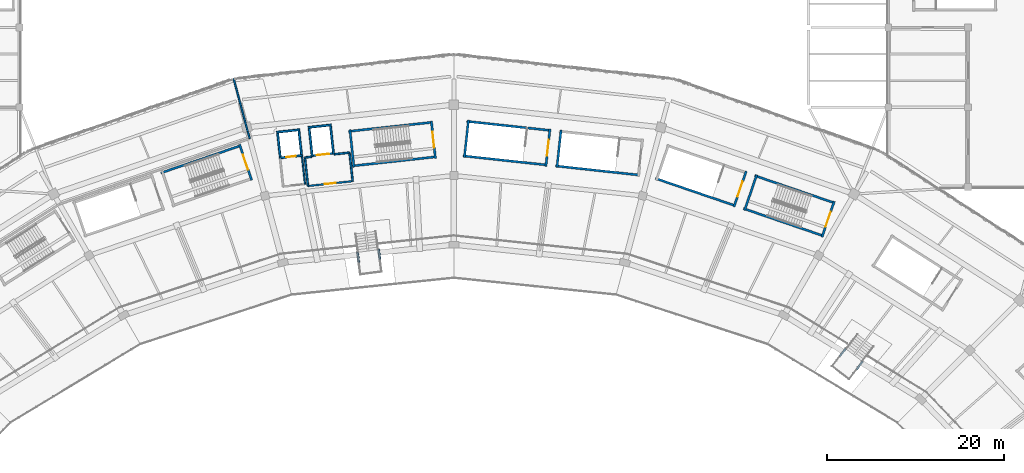
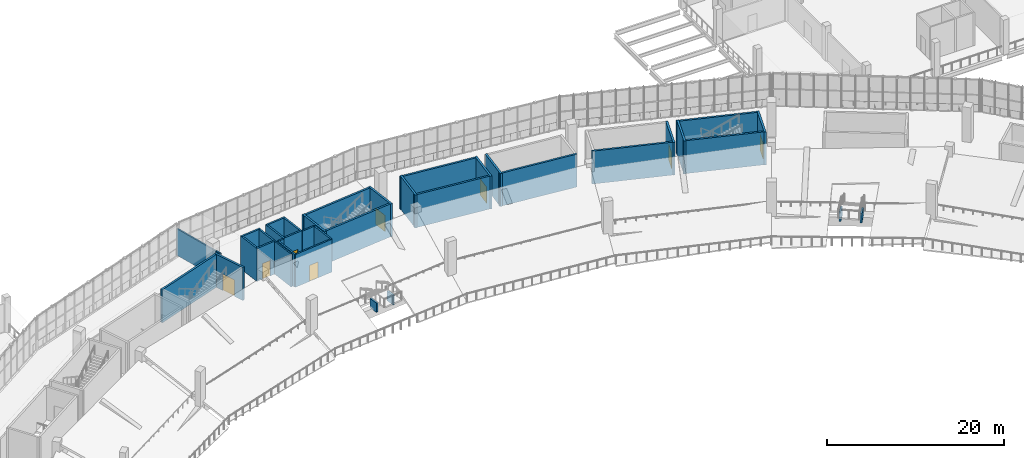
# One storey, part 100 of 152: 38 walls, 8 doors, 8 openings.
"""IFC4 building model written with IfcOpenShell, lengths in metres."""

import ifcopenshell
import ifcopenshell.guid

model = None  # the IFC model being written
_history = None  # IfcOwnerHistory: only IFC2X3 demands one
_inside = {}  # id of a spatial element -> (the spatial element, [elements in it])
_under = {}  # id of a project, library or spatial element -> (it, [spatial elements below it])
_declared = {}  # id of a project -> (the project, [libraries it declares])
_typed = {}  # id of a type object -> (the type object, [elements of that type])
_made_of = {}  # id of a material, layer set ... -> (it, [elements and type objects made of it])


def new_model(schema):
    """Start an empty IFC model of exactly this schema.

    Asked for "IFC4X3", IfcOpenShell would pick the latest addendum, in which some entities
    have other attributes; the version numbers below select the first issue.
    IFC2X3 requires an IfcOwnerHistory on every rooted entity: one is made here for all.
    """
    global model, _history
    if schema == "IFC4X3":
        model = ifcopenshell.file(schema_version=(4, 3, 0, 0))
    else:
        model = ifcopenshell.file(schema=schema)
    _inside.clear()
    _under.clear()
    _declared.clear()
    _typed.clear()
    _made_of.clear()
    _history = None
    if model.schema == "IFC2X3":
        org = make("IfcOrganization", Name="unknown")
        user = make(
            "IfcPersonAndOrganization",
            ThePerson=make("IfcPerson", FamilyName="unknown"),
            TheOrganization=org,
        )
        app = make(
            "IfcApplication",
            ApplicationDeveloper=org,
            Version="unknown",
            ApplicationFullName="unknown",
            ApplicationIdentifier="unknown",
        )
        _history = make(
            "IfcOwnerHistory",
            OwningUser=user,
            OwningApplication=app,
            ChangeAction="ADDED",
            CreationDate=0,
        )
    return model


def make(cls, **values):
    """One entity of the class cls with the attributes given. An attribute that is None is left unset."""
    return model.create_entity(
        cls, **{name: value for name, value in values.items() if value is not None}
    )


def rooted(cls, **values):
    """An entity with a GlobalId (a new one), such as an element, a storey or a relation."""
    return make(cls, GlobalId=ifcopenshell.guid.new(), OwnerHistory=_history, **values)


def si_unit(unit_type, name, prefix=None):
    """IfcSIUnit, for example si_unit("LENGTHUNIT", "METRE", prefix="MILLI")."""
    return make("IfcSIUnit", UnitType=unit_type, Prefix=prefix, Name=name)


def assignment(units):
    """IfcUnitAssignment: the units of a project."""
    return None if units is None else make("IfcUnitAssignment", Units=units)


def point(xyz):
    """IfcCartesianPoint."""
    return None if xyz is None else make("IfcCartesianPoint", Coordinates=xyz)


def direction(xyz):
    """IfcDirection."""
    return None if xyz is None else make("IfcDirection", DirectionRatios=xyz)


def frame(location, z_axis=None, x_axis=None):
    """IfcAxis2Placement3D, a coordinate frame: its origin and axes. An axis left out is left unset."""
    return make(
        "IfcAxis2Placement3D",
        Location=point(location),
        Axis=direction(z_axis),
        RefDirection=direction(x_axis),
    )


def frame_2d(location, x_axis=None):
    """IfcAxis2Placement2D, a coordinate frame in the plane: its origin and x axis."""
    return make(
        "IfcAxis2Placement2D", Location=point(location), RefDirection=direction(x_axis)
    )


def origin():
    """The frame at (0, 0, 0) with its axes left unset."""
    return frame((0.0, 0.0, 0.0))


def place(relative_to, where):
    """IfcLocalPlacement: puts the frame where relative to a parent placement (None: the world)."""
    return make(
        "IfcLocalPlacement", PlacementRelTo=relative_to, RelativePlacement=where
    )


def context(
    kind, dimensions, precision=None, world=None, true_north=None, identifier=None
):
    """IfcGeometricRepresentationContext, for example the 3D "Model" context."""
    return make(
        "IfcGeometricRepresentationContext",
        ContextIdentifier=identifier,
        ContextType=kind,
        CoordinateSpaceDimension=dimensions,
        Precision=precision,
        WorldCoordinateSystem=world,
        TrueNorth=true_north,
    )


def subcontext(parent, identifier, kind, view, scale=None):
    """IfcGeometricRepresentationSubContext, for example "Body" below "Model"."""
    return make(
        "IfcGeometricRepresentationSubContext",
        ContextIdentifier=identifier,
        ContextType=kind,
        ParentContext=parent,
        TargetScale=scale,
        TargetView=view,
    )


def project(units=None, contexts=None):
    """IfcProject with its units and contexts."""
    return rooted(
        "IfcProject",
        Name="project",
        RepresentationContexts=contexts,
        UnitsInContext=assignment(units),
    )


def spatial(cls, under=None, at=None, **own):
    """A site, building, storey or space (cls), placed at a placement, below another one or the project."""
    s = rooted(cls, ObjectPlacement=at, **own)
    if under is not None:
        _under.setdefault(under.id(), (under, []))[1].append(s)
    return s


def profile(cls, at=None, kind="AREA", **sizes):
    """A parametric profile (cls). Its sizes go by their IFC names, for example OverallWidth=200.0."""
    return make(cls, ProfileType=kind, Position=at, **sizes)


def rectangle(**sizes):
    """IfcRectangleProfileDef."""
    return profile("IfcRectangleProfileDef", **sizes)


def extrude(swept, where, along, depth):
    """IfcExtrudedAreaSolid: the profile swept, set in the frame where, extruded along a direction by depth."""
    return make(
        "IfcExtrudedAreaSolid",
        SweptArea=swept,
        Position=where,
        ExtrudedDirection=direction(along),
        Depth=depth,
    )


def shape(context_of_items, identifier, shape_type, items):
    """IfcShapeRepresentation: the items that make up one representation, for example the "Body"."""
    return make(
        "IfcShapeRepresentation",
        ContextOfItems=context_of_items,
        RepresentationIdentifier=identifier,
        RepresentationType=shape_type,
        Items=items,
    )


def material(Name=None, Category=None):
    """IfcMaterial."""
    return make("IfcMaterial", Name=Name, Category=Category)


def layer(
    of_material, thickness, ventilated=None, Name=None, Category=None, Priority=None
):
    """IfcMaterialLayer: one layer of a wall or slab, of a material (None: an air gap)."""
    return make(
        "IfcMaterialLayer",
        Material=of_material,
        LayerThickness=thickness,
        IsVentilated=ventilated,
        Name=Name,
        Category=Category,
        Priority=Priority,
    )


def layer_set(layers, Name=None):
    """IfcMaterialLayerSet."""
    return make("IfcMaterialLayerSet", MaterialLayers=layers, LayerSetName=Name)


def made_of(thing, what):
    """Note that an element or type object is made of a material, layer set ...; save() writes the relation."""
    if what is not None:
        _made_of.setdefault(what.id(), (what, []))[1].append(thing)
    return thing


def type_object(cls, material=None, **own):
    """A type object (cls), such as IfcWallType, which elements share."""
    return made_of(rooted(cls, **own), material)


def element(
    cls,
    number,
    at=None,
    inside=None,
    cuts=None,
    type_object=None,
    material=None,
    context=None,
    identifier="Body",
    shape_type=None,
    held_by="IfcProductDefinitionShape",
    body=None,
    shapes=None,
    **own,
):
    """One element of the class cls, such as IfcWall. Its Tag is "e" and its number.

    at: its placement. inside: the storey or other place that contains it. cuts: it is an
    opening in that element (IfcRelVoidsElement). A single representation is given by context,
    identifier, shape_type and body (its items); several are given by shapes. held_by: the class
    of the entity that holds the representations. save() writes the other relations.
    """
    e = rooted(cls, Tag="e%d" % number, ObjectPlacement=at, **own)
    if body is not None:
        shapes = [shape(context, identifier, shape_type, body)]
    if shapes is not None:
        e.Representation = make(held_by, Representations=shapes)
    if inside is not None:
        _inside.setdefault(inside.id(), (inside, []))[1].append(e)
    if cuts is not None:
        rooted(
            "IfcRelVoidsElement", RelatingBuildingElement=cuts, RelatedOpeningElement=e
        )
    if type_object is not None:
        _typed.setdefault(type_object.id(), (type_object, []))[1].append(e)
    return made_of(e, material)


def fill(opening, filler):
    """IfcRelFillsElement: the door or window that sits in an opening."""
    return rooted(
        "IfcRelFillsElement",
        RelatingOpeningElement=opening,
        RelatedBuildingElement=filler,
    )


def aggregate(whole, parts):
    """IfcRelAggregates: a whole, such as a stair, and the parts it consists of."""
    return rooted("IfcRelAggregates", RelatingObject=whole, RelatedObjects=parts)


def save(model, path):
    """Write the relations noted so far, then the file.

    IfcRelAggregates (storeys below a building ...), IfcRelContainedInSpatialStructure (elements
    in a storey), IfcRelDefinesByType, IfcRelAssociatesMaterial and IfcRelDeclares: one each for
    every whole, place, type object, material and project.
    """
    for whole, parts in _under.values():
        aggregate(whole, parts)
    for where, things in _inside.values():
        rooted(
            "IfcRelContainedInSpatialStructure",
            RelatedElements=things,
            RelatingStructure=where,
        )
    for kind, things in _typed.values():
        rooted("IfcRelDefinesByType", RelatedObjects=things, RelatingType=kind)
    for what, things in _made_of.values():
        rooted("IfcRelAssociatesMaterial", RelatedObjects=things, RelatingMaterial=what)
    for by, libraries in _declared.values():
        rooted("IfcRelDeclares", RelatingContext=by, RelatedDefinitions=libraries)
    model.write(path)


model = new_model("IFC4")

# Units and contexts
model_context = context("Model", 3, precision=1e-05, world=origin(), true_north=direction((0.0, 1.0)))
body_context = subcontext(model_context, "Body", "Model", "MODEL_VIEW")
ifc_project = project(units=[si_unit("LENGTHUNIT", "METRE"), si_unit("AREAUNIT", "SQUARE_METRE"), si_unit("VOLUMEUNIT", "CUBIC_METRE"), si_unit("PLANEANGLEUNIT", "RADIAN"), si_unit("MASSUNIT", "GRAM", prefix="KILO")], contexts=[model_context])

# Site, building, storey
site_placement = place(None, origin())
site = spatial("IfcSite", under=ifc_project, at=site_placement, CompositionType="ELEMENT")
building_placement = place(site_placement, origin())
building = spatial("IfcBuilding", under=site, at=building_placement, Name="Zevraka Park Crest Stadium", CompositionType="ELEMENT")
storey_placement = place(building_placement, frame((0.0, 0.0, 15.0)))
storey = spatial("IfcBuildingStorey", under=building, at=storey_placement, Name="L03", CompositionType="ELEMENT", Elevation=15.0)

# Walls
ifc_material_1 = material(Name="Autoclaved aerated masonry blockwork", Category="masonry")
ifc_layer_1 = layer(ifc_material_1, 0.199951171875)
ifc_layer_set_1 = layer_set([ifc_layer_1], Name="Autoclaved aerated masonry blockwork")
wall_type_1 = type_object("IfcWallType", Name="IW01", PredefinedType="PARTITIONING", material=ifc_layer_set_1)
wall_1_placement = place(storey_placement, frame((95.195068359375, 161.3349609375, 0.0), z_axis=(0.0, 0.0, 1.0), x_axis=(0.994146742738, 0.108038205757, 0.0)))
element("IfcWall", 1, at=wall_1_placement, inside=storey, type_object=wall_type_1, Name="Firefighting Lift Lobby Wall IW01 FL02 L03 BACKL", PredefinedType="PARTITIONING", context=body_context, shape_type="SweptSolid", body=[
    extrude(rectangle(XDim=0.750244140625, YDim=0.199951171875, at=frame_2d((0.375, 0.0))), origin(), (0.0, 0.0, 1.0), 4.52001953125),
])
wall_2_placement = place(storey_placement, frame((98.52490234375, 161.697998046875, 0.0), z_axis=(0.0, 0.0, 1.0), x_axis=(0.994135511072, 0.108141507414, 0.0)))
element("IfcWall", 2, at=wall_2_placement, inside=storey, type_object=wall_type_1, Name="Firefighting Lift Lobby Wall IW01 FL02 L03 BACKR", PredefinedType="PARTITIONING", context=body_context, shape_type="SweptSolid", body=[
    extrude(rectangle(XDim=1.72021484375, YDim=0.199951171875, at=frame_2d((0.860107421875, 0.0))), origin(), (0.0, 0.0, 1.0), 4.52001953125),
])
for number, where, z_axis, x_axis, name in (
    (3, (95.195068359375, 161.3349609375, 0.0), (0.0, 0.0, 1.0), (0.108280975823, -0.994120329877, 0.0), "Firefighting Lift Lobby Wall IW01 FL02 L03 LEFT"),
    (4, (100.235107421875, 161.884033203125, 0.0), (0.0, 0.0, 1.0), (0.108280975823, -0.994120329877, 0.0), "Firefighting Lift Lobby Wall IW01 FL02 L03 RIGHT"),
):
    element("IfcWall", number, at=place(storey_placement, frame(where, z_axis=z_axis, x_axis=x_axis)), inside=storey, type_object=wall_type_1, Name=name, PredefinedType="PARTITIONING", context=body_context, shape_type="SweptSolid", body=[
        extrude(rectangle(XDim=3.239990234375, YDim=0.199951171875, at=frame_2d((1.6201171875, 0.0))), origin(), (0.0, 0.0, 1.0), 4.52001953125),
    ])

# Wall, opening, door
wall_3_placement = place(storey_placement, frame((95.5458984375, 158.114013671875, 0.0), z_axis=(0.0, 0.0, 1.0), x_axis=(0.994118117986, 0.108301281116, 0.0)))
wall_3 = element("IfcWall", 5, at=wall_3_placement, inside=storey, type_object=wall_type_1, Name="Firefighting Lift Lobby Wall IW01 FL02 L03 FRONT", PredefinedType="PARTITIONING", context=body_context, shape_type="SweptSolid", body=[
    extrude(rectangle(XDim=5.06982421875, YDim=0.199951171875, at=frame_2d((2.534912109375, 0.0))), origin(), (0.0, 0.0, 1.0), 4.52001953125),
])
opening_1_placement = place(wall_3_placement, frame((1.909912109375, 0.0, 0.0)))
opening_1 = element("IfcOpeningElement", 6, at=opening_1_placement, cuts=wall_3, Name="Opening D-L03-298", PredefinedType="OPENING", context=body_context, shape_type="SweptSolid", body=[
    extrude(rectangle(XDim=1.25, YDim=2.199951171875, at=frame_2d((0.625, 1.10009765625))), frame((0.0, 0.10986328125, 0.0), z_axis=(0.0, -1.0, 0.0), x_axis=(1.0, 0.0, 0.0)), (0.0, 0.0, 1.0), 0.219970703125),
])
ifc_material_2 = material(Name="Solid-core hardwood timber leaf in steel frame", Category="steel")
door_type_1 = type_object("IfcDoorType", Name="DR07", OperationType="NOTDEFINED", PredefinedType="DOOR", material=ifc_material_2)
door_1_placement = place(opening_1_placement, origin())
door_1 = element("IfcDoor", 7, at=door_1_placement, inside=storey, type_object=door_type_1, Name="Firefighting Lift Lobby FL02 Door D-L03-298", OperationType="SINGLE_SWING_RIGHT", OverallHeight=2.199951171875, OverallWidth=1.25, PredefinedType="DOOR", context=body_context, shape_type="SweptSolid", body=[
    extrude(rectangle(XDim=1.25, YDim=2.199951171875, at=frame_2d((0.625, 1.10009765625))), frame((0.0, 0.02490234375, 0.0), z_axis=(0.0, -1.0, 0.0), x_axis=(1.0, 0.0, 0.0)), (0.0, 0.0, 1.0), 0.050048828125),
])
fill(opening_1, door_1)

# Walls
ifc_material_3 = material(Name="Fire-rated twin-stud acoustic drywall", Category="other")
ifc_layer_2 = layer(ifc_material_3, 0.159912109375)
ifc_layer_set_2 = layer_set([ifc_layer_2], Name="Fire-rated twin-stud acoustic drywall")
wall_type_2 = type_object("IfcWallType", Name="IW02", PredefinedType="PARTITIONING", material=ifc_layer_set_2)
wall_4_placement = place(storey_placement, frame((94.868896484375, 161.469970703125, 0.0), z_axis=(0.0, 0.0, 1.0), x_axis=(0.108909733757, -0.994051643474, 0.0)))
element("IfcWall", 8, at=wall_4_placement, inside=storey, type_object=wall_type_2, Name="Passenger Lift Lobby Wall IW02 PL02 L03 RIGHT", PredefinedType="PARTITIONING", context=body_context, shape_type="SweptSolid", body=[
    extrude(rectangle(XDim=3.169677734375, YDim=0.159912109375, at=frame_2d((1.5849609375, 0.0))), origin(), (0.0, 0.0, 1.0), 4.52001953125),
])
ifc_material_4 = material(Name="Fire-rated twin-stud acoustic drywall", Category="other")
ifc_layer_3 = layer(ifc_material_4, 0.179931640625)
ifc_layer_set_3 = layer_set([ifc_layer_3], Name="Fire-rated twin-stud acoustic drywall")
wall_type_3 = type_object("IfcWallType", Name="IW06", PredefinedType="PARTITIONING", material=ifc_layer_set_3)
wall_5_placement = place(storey_placement, frame((88.969970703125, 163.458984375, 0.0), z_axis=(0.0, 0.0, 1.0), x_axis=(-0.259313795023, 0.965793122626, 0.0)))
element("IfcWall", 9, at=wall_5_placement, inside=storey, type_object=wall_type_3, Name="Interior Partition IW06 Park View Supporter Bar L03", PredefinedType="PARTITIONING", context=body_context, shape_type="SweptSolid", body=[
    extrude(rectangle(XDim=0.8095703125, YDim=0.179931640625, at=frame_2d((0.40478515625, 0.0))), origin(), (0.0, 0.0, 1.0), 3.6650390625),
])
wall_6_placement = place(storey_placement, frame((88.763916015625, 164.22607421875, 0.0), z_axis=(0.0, 0.0, 1.0), x_axis=(-0.258731511659, 0.965949276554, 0.0)))
element("IfcWall", 10, at=wall_6_placement, inside=storey, type_object=wall_type_3, Name="Interior Partition IW06 Park View Supporter Bar L03", PredefinedType="PARTITIONING", context=body_context, shape_type="SweptSolid", body=[
    extrude(rectangle(XDim=6.225830078125, YDim=0.179931640625, at=frame_2d((3.11279296875, 0.0))), origin(), (0.0, 0.0, 1.0), 3.6650390625),
])
ifc_material_5 = material(Name="Concrete C40/50", Category="concrete")
ifc_layer_4 = layer(ifc_material_5, 0.25)
ifc_layer_set_4 = layer_set([ifc_layer_4], Name="Concrete C40/50")
wall_type_4 = type_object("IfcWallType", Name="SW01", PredefinedType="SHEAR", material=ifc_layer_set_4)
for number, where, z_axis, x_axis, name in (
    (11, (154.976318359375, 156.190673828125, 0.0), (0.0, 0.0, 1.0), (-0.946064424228, 0.323978556712, 0.0), "Stair Core Shear Wall SW01 ST05 L03 left"),
    (12, (144.671630859375, 155.576171875, 0.0), (0.0, 0.0, 1.0), (0.946064424228, -0.323978556712, 0.0), "Stair Core Shear Wall SW01 ST05 L03 right"),
):
    element("IfcWall", number, at=place(storey_placement, frame(where, z_axis=z_axis, x_axis=x_axis)), inside=storey, type_object=wall_type_4, Name=name, PredefinedType="SHEAR", context=body_context, shape_type="SweptSolid", body=[
        extrude(rectangle(XDim=9.550048828125, YDim=0.25, at=frame_2d((4.77490234375, 0.0))), origin(), (0.0, 0.0, 1.0), 4.5400390625),
    ])

# Wall, opening, door
wall_7_placement = place(storey_placement, frame((153.533203125, 152.36181640625, 0.0), z_axis=(0.0, 0.0, 1.0), x_axis=(0.323971192516, 0.946066946056, 0.0)))
wall_7 = element("IfcWall", 13, at=wall_7_placement, inside=storey, type_object=wall_type_4, Name="Stair Core Shear Wall SW01 ST05 L03 near", PredefinedType="SHEAR", context=body_context, shape_type="SweptSolid", body=[
    extrude(rectangle(XDim=4.260009765625, YDim=0.25, at=frame_2d((2.1298828125, 0.0))), origin(), (0.0, 0.0, 1.0), 4.5400390625),
])
opening_2_placement = place(wall_7_placement, frame((1.22998046875, 0.0, 0.0)))
opening_2 = element("IfcOpeningElement", 14, at=opening_2_placement, cuts=wall_7, Name="Opening D-L03-030", PredefinedType="OPENING", context=body_context, shape_type="SweptSolid", body=[
    extrude(rectangle(XDim=1.800048828125, YDim=2.25, at=frame_2d((0.89990234375, 1.125))), frame((0.0, 0.135009765625, 0.0), z_axis=(0.0, -1.0, 0.0), x_axis=(1.0, 0.0, 0.0)), (0.0, 0.0, 1.0), 0.27001953125),
])
ifc_material_6 = material(Name="Solid-core hardwood timber leaf in steel frame", Category="steel")
door_type_2 = type_object("IfcDoorType", Name="DR04", OperationType="NOTDEFINED", PredefinedType="DOOR", material=ifc_material_6)
door_2_placement = place(opening_2_placement, origin())
door_2 = element("IfcDoor", 15, at=door_2_placement, inside=storey, type_object=door_type_2, Name="Protected Stair Entry Door ST05 L03", OperationType="DOUBLE_DOOR_SINGLE_SWING", OverallHeight=2.25, OverallWidth=1.800048828125, PredefinedType="DOOR", context=body_context, shape_type="SweptSolid", body=[
    extrude(rectangle(XDim=1.800048828125, YDim=2.25, at=frame_2d((0.89990234375, 1.125))), frame((0.0, 0.02490234375, 0.0), z_axis=(0.0, -1.0, 0.0), x_axis=(1.0, 0.0, 0.0)), (0.0, 0.0, 1.0), 0.050048828125),
])
fill(opening_2, door_2)

# Walls
wall_8_placement = place(storey_placement, frame((146.171630859375, 159.385498046875, 0.0), z_axis=(0.0, 0.0, 1.0), x_axis=(-0.323971192516, -0.946066946056, 0.0)))
element("IfcWall", 16, at=wall_8_placement, inside=storey, type_object=wall_type_4, Name="Stair Core Shear Wall SW01 ST05 L03 far", PredefinedType="SHEAR", context=body_context, shape_type="SweptSolid", body=[
    extrude(rectangle(XDim=4.260009765625, YDim=0.25, at=frame_2d((2.1298828125, 0.0))), origin(), (0.0, 0.0, 1.0), 4.5400390625),
])
wall_9_placement = place(storey_placement, frame((123.467041015625, 160.3798828125, 0.0), z_axis=(0.0, 0.0, 1.0), x_axis=(0.994127555169, -0.108214620337, 0.0)))
element("IfcWall", 17, at=wall_9_placement, inside=storey, type_object=wall_type_4, Name="Stair Core Shear Wall SW01 ST06 L03 right", PredefinedType="SHEAR", context=body_context, shape_type="SweptSolid", body=[
    extrude(rectangle(XDim=9.550048828125, YDim=0.25, at=frame_2d((4.77490234375, 0.0))), origin(), (0.0, 0.0, 1.0), 4.5400390625),
])
wall_10_placement = place(storey_placement, frame((124.093505859375, 164.426025390625, 0.0), z_axis=(0.0, 0.0, 1.0), x_axis=(-0.108198315262, -0.994129329903, 0.0)))
element("IfcWall", 18, at=wall_10_placement, inside=storey, type_object=wall_type_4, Name="Stair Core Shear Wall SW01 ST06 L03 far", PredefinedType="SHEAR", context=body_context, shape_type="SweptSolid", body=[
    extrude(rectangle(XDim=4.260009765625, YDim=0.25, at=frame_2d((2.1298828125, 0.0))), origin(), (0.0, 0.0, 1.0), 4.5400390625),
])
for number, where, z_axis, x_axis, name in (
    (19, (109.602783203125, 165.310546875, 0.0), (0.0, 0.0, 1.0), (-0.994127555169, -0.108214620337, 0.0), "Stair Core Shear Wall SW01 ST07 L03 left"),
    (20, (100.533203125, 160.380126953125, 0.0), (0.0, 0.0, 1.0), (0.994127555169, 0.108214620337, 0.0), "Stair Core Shear Wall SW01 ST07 L03 right"),
):
    element("IfcWall", number, at=place(storey_placement, frame(where, z_axis=z_axis, x_axis=x_axis)), inside=storey, type_object=wall_type_4, Name=name, PredefinedType="SHEAR", context=body_context, shape_type="SweptSolid", body=[
        extrude(rectangle(XDim=9.550048828125, YDim=0.25, at=frame_2d((4.77490234375, 0.0))), origin(), (0.0, 0.0, 1.0), 4.5400390625),
    ])

# Wall, opening, door
wall_11_placement = place(storey_placement, frame((109.921142578125, 161.23095703125, 0.0), z_axis=(0.0, 0.0, 1.0), x_axis=(-0.108198315262, 0.994129329903, 0.0)))
wall_11 = element("IfcWall", 21, at=wall_11_placement, inside=storey, type_object=wall_type_4, Name="Stair Core Shear Wall SW01 ST07 L03 near", PredefinedType="SHEAR", context=body_context, shape_type="SweptSolid", body=[
    extrude(rectangle(XDim=4.260009765625, YDim=0.25, at=frame_2d((2.1298828125, 0.0))), origin(), (0.0, 0.0, 1.0), 4.5400390625),
])
opening_3_placement = place(wall_11_placement, frame((1.22998046875, 0.0, 0.0)))
opening_3 = element("IfcOpeningElement", 22, at=opening_3_placement, cuts=wall_11, Name="Opening D-L03-041", PredefinedType="OPENING", context=body_context, shape_type="SweptSolid", body=[
    extrude(rectangle(XDim=1.800048828125, YDim=2.25, at=frame_2d((0.89990234375, 1.125))), frame((0.0, 0.135009765625, 0.0), z_axis=(0.0, -1.0, 0.0), x_axis=(1.0, 0.0, 0.0)), (0.0, 0.0, 1.0), 0.27001953125),
])
door_3_placement = place(opening_3_placement, origin())
door_3 = element("IfcDoor", 23, at=door_3_placement, inside=storey, type_object=door_type_2, Name="Protected Stair Entry Door ST07 L03", OperationType="DOUBLE_DOOR_SINGLE_SWING", OverallHeight=2.25, OverallWidth=1.800048828125, PredefinedType="DOOR", context=body_context, shape_type="SweptSolid", body=[
    extrude(rectangle(XDim=1.800048828125, YDim=2.25, at=frame_2d((0.89990234375, 1.125))), frame((0.0, 0.02490234375, 0.0), z_axis=(0.0, -1.0, 0.0), x_axis=(1.0, 0.0, 0.0)), (0.0, 0.0, 1.0), 0.050048828125),
])
fill(opening_3, door_3)

# Walls
wall_12_placement = place(storey_placement, frame((100.2744140625, 164.466064453125, 0.0), z_axis=(0.0, 0.0, 1.0), x_axis=(0.108204479885, -0.994128658944, 0.0)))
element("IfcWall", 24, at=wall_12_placement, inside=storey, type_object=wall_type_4, Name="Stair Core Shear Wall SW01 ST07 L03 far", PredefinedType="SHEAR", context=body_context, shape_type="SweptSolid", body=[
    extrude(rectangle(XDim=4.259765625, YDim=0.25, at=frame_2d((2.1298828125, 0.0))), origin(), (0.0, 0.0, 1.0), 4.5400390625),
])
wall_13_placement = place(storey_placement, frame((87.99267578125, 162.685791015625, 0.0), z_axis=(0.0, 0.0, 1.0), x_axis=(-0.946064424228, -0.323978556712, 0.0)))
element("IfcWall", 25, at=wall_13_placement, inside=storey, type_object=wall_type_4, Name="Stair Core Shear Wall SW01 ST08 L03 left", PredefinedType="SHEAR", context=body_context, shape_type="SweptSolid", body=[
    extrude(rectangle(XDim=9.550048828125, YDim=0.25, at=frame_2d((4.77490234375, 0.0))), origin(), (0.0, 0.0, 1.0), 4.5400390625),
])

# Wall, opening, door
wall_14_placement = place(storey_placement, frame((89.199462890625, 158.77587890625, 0.0), z_axis=(0.0, 0.0, 1.0), x_axis=(-0.323988758717, 0.946060930504, 0.0)))
wall_14 = element("IfcWall", 26, at=wall_14_placement, inside=storey, type_object=wall_type_4, Name="Stair Core Shear Wall SW01 ST08 L03 near", PredefinedType="SHEAR", context=body_context, shape_type="SweptSolid", body=[
    extrude(rectangle(XDim=4.259765625, YDim=0.25, at=frame_2d((2.1298828125, 0.0))), origin(), (0.0, 0.0, 1.0), 4.5400390625),
])
opening_4_placement = place(wall_14_placement, frame((1.22998046875, 0.0, 0.0)))
opening_4 = element("IfcOpeningElement", 27, at=opening_4_placement, cuts=wall_14, Name="Opening D-L03-048", PredefinedType="OPENING", context=body_context, shape_type="SweptSolid", body=[
    extrude(rectangle(XDim=1.800048828125, YDim=2.25, at=frame_2d((0.89990234375, 1.125))), frame((0.0, 0.135009765625, 0.0), z_axis=(0.0, -1.0, 0.0), x_axis=(1.0, 0.0, 0.0)), (0.0, 0.0, 1.0), 0.27001953125),
])
door_4_placement = place(opening_4_placement, origin())
door_4 = element("IfcDoor", 28, at=door_4_placement, inside=storey, type_object=door_type_2, Name="Protected Stair Entry Door ST08 L03", OperationType="DOUBLE_DOOR_SINGLE_SWING", OverallHeight=2.25, OverallWidth=1.800048828125, PredefinedType="DOOR", context=body_context, shape_type="SweptSolid", body=[
    extrude(rectangle(XDim=1.800048828125, YDim=2.25, at=frame_2d((0.89990234375, 1.125))), frame((0.0, 0.02490234375, 0.0), z_axis=(0.0, -1.0, 0.0), x_axis=(1.0, 0.0, 0.0)), (0.0, 0.0, 1.0), 0.050048828125),
])
fill(opening_4, door_4)

# Wall
wall_15_placement = place(storey_placement, frame((134.737548828125, 158.97705078125, 0.0), z_axis=(0.0, 0.0, 1.0), x_axis=(0.946064424228, -0.323978556712, 0.0)))
element("IfcWall", 29, at=wall_15_placement, inside=storey, type_object=wall_type_4, Name="Stair Core Shear Wall SW01 ST25 L03 right", PredefinedType="SHEAR", context=body_context, shape_type="SweptSolid", body=[
    extrude(rectangle(XDim=9.550048828125, YDim=0.25, at=frame_2d((4.77490234375, 0.0))), origin(), (0.0, 0.0, 1.0), 4.5400390625),
])

# Wall, opening, door
wall_16_placement = place(storey_placement, frame((143.59912109375, 155.7626953125, 0.0), z_axis=(0.0, 0.0, 1.0), x_axis=(0.323971192516, 0.946066946056, 0.0)))
wall_16 = element("IfcWall", 30, at=wall_16_placement, inside=storey, type_object=wall_type_4, Name="Stair Core Shear Wall SW01 ST25 L03 near", PredefinedType="SHEAR", context=body_context, shape_type="SweptSolid", body=[
    extrude(rectangle(XDim=4.260009765625, YDim=0.25, at=frame_2d((2.1298828125, 0.0))), origin(), (0.0, 0.0, 1.0), 4.5400390625),
])
opening_5_placement = place(wall_16_placement, frame((1.22998046875, 0.0, 0.0)))
opening_5 = element("IfcOpeningElement", 31, at=opening_5_placement, cuts=wall_16, Name="Opening D-L03-149", PredefinedType="OPENING", context=body_context, shape_type="SweptSolid", body=[
    extrude(rectangle(XDim=1.800048828125, YDim=2.25, at=frame_2d((0.89990234375, 1.125))), frame((0.0, 0.135009765625, 0.0), z_axis=(0.0, -1.0, 0.0), x_axis=(1.0, 0.0, 0.0)), (0.0, 0.0, 1.0), 0.27001953125),
])
door_5_placement = place(opening_5_placement, origin())
door_5 = element("IfcDoor", 32, at=door_5_placement, inside=storey, type_object=door_type_2, Name="Protected Stair Entry Door ST25 L03", OperationType="DOUBLE_DOOR_SINGLE_SWING", OverallHeight=2.25, OverallWidth=1.800048828125, PredefinedType="DOOR", context=body_context, shape_type="SweptSolid", body=[
    extrude(rectangle(XDim=1.800048828125, YDim=2.25, at=frame_2d((0.89990234375, 1.125))), frame((0.0, 0.02490234375, 0.0), z_axis=(0.0, -1.0, 0.0), x_axis=(1.0, 0.0, 0.0)), (0.0, 0.0, 1.0), 0.050048828125),
])
fill(opening_5, door_5)

# Walls
for number, where, z_axis, x_axis, name in (
    (33, (122.947265625, 164.37939453125, 0.0), (0.0, 0.0, 1.0), (-0.994127555169, 0.108214620337, 0.0), "Stair Core Shear Wall SW01 ST26 L03 left"),
    (34, (113.029052734375, 161.515869140625, 0.0), (0.0, 0.0, 1.0), (0.994127555169, -0.108214620337, 0.0), "Stair Core Shear Wall SW01 ST26 L03 right"),
):
    element("IfcWall", number, at=place(storey_placement, frame(where, z_axis=z_axis, x_axis=x_axis)), inside=storey, type_object=wall_type_4, Name=name, PredefinedType="SHEAR", context=body_context, shape_type="SweptSolid", body=[
        extrude(rectangle(XDim=9.550048828125, YDim=0.25, at=frame_2d((4.77490234375, 0.0))), origin(), (0.0, 0.0, 1.0), 4.5400390625),
    ])

# Wall, opening, door
wall_17_placement = place(storey_placement, frame((122.38037109375, 160.326904296875, 0.0), z_axis=(0.0, 0.0, 1.0), x_axis=(0.108198315262, 0.994129329903, 0.0)))
wall_17 = element("IfcWall", 35, at=wall_17_placement, inside=storey, type_object=wall_type_4, Name="Stair Core Shear Wall SW01 ST26 L03 near", PredefinedType="SHEAR", context=body_context, shape_type="SweptSolid", body=[
    extrude(rectangle(XDim=4.260009765625, YDim=0.25, at=frame_2d((2.1298828125, 0.0))), origin(), (0.0, 0.0, 1.0), 4.5400390625),
])
opening_6_placement = place(wall_17_placement, frame((1.22998046875, 0.0, 0.0)))
opening_6 = element("IfcOpeningElement", 36, at=opening_6_placement, cuts=wall_17, Name="Opening D-L03-154", PredefinedType="OPENING", context=body_context, shape_type="SweptSolid", body=[
    extrude(rectangle(XDim=1.800048828125, YDim=2.25, at=frame_2d((0.89990234375, 1.125))), frame((0.0, 0.135009765625, 0.0), z_axis=(0.0, -1.0, 0.0), x_axis=(1.0, 0.0, 0.0)), (0.0, 0.0, 1.0), 0.27001953125),
])
door_6_placement = place(opening_6_placement, origin())
door_6 = element("IfcDoor", 37, at=door_6_placement, inside=storey, type_object=door_type_2, Name="Protected Stair Entry Door ST26 L03", OperationType="DOUBLE_DOOR_SINGLE_SWING", OverallHeight=2.25, OverallWidth=1.800048828125, PredefinedType="DOOR", context=body_context, shape_type="SweptSolid", body=[
    extrude(rectangle(XDim=1.800048828125, YDim=2.25, at=frame_2d((0.89990234375, 1.125))), frame((0.0, 0.02490234375, 0.0), z_axis=(0.0, -1.0, 0.0), x_axis=(1.0, 0.0, 0.0)), (0.0, 0.0, 1.0), 0.050048828125),
])
fill(opening_6, door_6)

# Walls
wall_18_placement = place(storey_placement, frame((113.655517578125, 165.56201171875, 0.0), z_axis=(0.0, 0.0, 1.0), x_axis=(-0.108198315262, -0.994129329903, 0.0)))
element("IfcWall", 38, at=wall_18_placement, inside=storey, type_object=wall_type_4, Name="Stair Core Shear Wall SW01 ST26 L03 far", PredefinedType="SHEAR", context=body_context, shape_type="SweptSolid", body=[
    extrude(rectangle(XDim=4.260009765625, YDim=0.25, at=frame_2d((2.1298828125, 0.0))), origin(), (0.0, 0.0, 1.0), 4.5400390625),
])
ifc_material_7 = material(Name="Concrete C40/50", Category="concrete")
ifc_layer_5 = layer(ifc_material_7, 0.219970703125)
ifc_layer_set_5 = layer_set([ifc_layer_5], Name="Concrete C40/50")
wall_type_5 = type_object("IfcWallType", Name="SW02", PredefinedType="SHEAR", material=ifc_layer_set_5)
for number, where, z_axis, x_axis, name in (
    (39, (156.2109375, 139.7890625, -0.300048828125), (0.0, 0.0, 1.0), (-0.609004330555, -0.793166896287, 0.0), "Vomitory Portal Support Wall SW02 VS-10-1"),
    (40, (158.114990234375, 138.327880859375, -0.300048828125), (0.0, 0.0, 1.0), (-0.609108144979, -0.79308717536, 0.0), "Vomitory Portal Support Wall SW02 VS-10-2"),
    (41, (101.126953125, 150.652099609375, -0.300048828125), (0.0, 0.0, 1.0), (0.13109379611, -0.991369969598, 0.0), "Vomitory Portal Support Wall SW02 VS-11-1"),
):
    element("IfcWall", number, at=place(storey_placement, frame(where, z_axis=z_axis, x_axis=x_axis)), inside=storey, type_object=wall_type_5, Name=name, PredefinedType="SHEAR", context=body_context, shape_type="SweptSolid", body=[
        extrude(rectangle(XDim=1.135986328125, YDim=0.219970703125, at=frame_2d((0.56787109375, 0.0))), origin(), (0.0, 0.0, 1.0), 1.320068359375),
    ])
wall_19_placement = place(storey_placement, frame((103.507080078125, 150.965087890625, -0.300048828125), z_axis=(0.0, 0.0, 1.0), x_axis=(0.130276557423, -0.991477694447, 0.0)))
element("IfcWall", 42, at=wall_19_placement, inside=storey, type_object=wall_type_5, Name="Vomitory Portal Support Wall SW02 VS-11-2", PredefinedType="SHEAR", context=body_context, shape_type="SweptSolid", body=[
    extrude(rectangle(XDim=1.1357421875, YDim=0.219970703125, at=frame_2d((0.56787109375, 0.0))), origin(), (0.0, 0.0, 1.0), 1.320068359375),
])
wall_20_placement = place(storey_placement, frame((98.18310546875, 165.010986328125, 0.0), z_axis=(0.0, 0.0, 1.0), x_axis=(-0.994077313431, -0.108675180804, 0.0)))
element("IfcWall", 43, at=wall_20_placement, inside=storey, type_object=wall_type_5, Name="Lift Shaft Shear Wall SW02 FL02 L03-1", PredefinedType="SHEAR", context=body_context, shape_type="SweptSolid", body=[
    extrude(rectangle(XDim=2.6396484375, YDim=0.219970703125, at=frame_2d((1.31982421875, 0.0))), origin(), (0.0, 0.0, 1.0), 4.5400390625),
])
wall_21_placement = place(storey_placement, frame((95.656005859375, 164.844970703125, 0.0), z_axis=(0.0, 0.0, 1.0), x_axis=(0.108748511736, -0.994069293961, 0.0)))
element("IfcWall", 44, at=wall_21_placement, inside=storey, type_object=wall_type_5, Name="Lift Shaft Shear Wall SW02 FL02 L03-2", PredefinedType="SHEAR", context=body_context, shape_type="SweptSolid", body=[
    extrude(rectangle(XDim=3.439453125, YDim=0.219970703125, at=frame_2d((1.7197265625, 0.0))), origin(), (0.0, 0.0, 1.0), 4.5400390625),
])

# Wall, opening, door
wall_22_placement = place(storey_placement, frame((95.908935546875, 161.52294921875, 0.0), z_axis=(0.0, 0.0, 1.0), x_axis=(0.994067317545, 0.108766576613, 0.0)))
wall_22 = element("IfcWall", 45, at=wall_22_placement, inside=storey, type_object=wall_type_5, Name="Lift Shaft Shear Wall SW02 FL02 L03-3", PredefinedType="SHEAR", context=body_context, shape_type="SweptSolid", body=[
    extrude(rectangle(XDim=2.6396484375, YDim=0.219970703125, at=frame_2d((1.31982421875, 0.0))), origin(), (0.0, 0.0, 1.0), 4.5400390625),
])
opening_7_placement = place(wall_22_placement, frame((0.6201171875, 0.0, 0.0)))
opening_7 = element("IfcOpeningElement", 46, at=opening_7_placement, cuts=wall_22, Name="Opening LD-FL02-L03", PredefinedType="OPENING", context=body_context, shape_type="SweptSolid", body=[
    extrude(rectangle(XDim=1.39990234375, YDim=2.199951171875, at=frame_2d((0.699951171875, 1.10009765625))), frame((0.0, 0.119873046875, 0.0), z_axis=(0.0, -1.0, 0.0), x_axis=(1.0, 0.0, 0.0)), (0.0, 0.0, 1.0), 0.239990234375),
])
ifc_material_8 = material(Name="Brushed stainless steel lift landing doors", Category="steel")
door_type_3 = type_object("IfcDoorType", Name="LD01", OperationType="NOTDEFINED", PredefinedType="DOOR", material=ifc_material_8)
door_7_placement = place(opening_7_placement, origin())
door_7 = element("IfcDoor", 47, at=door_7_placement, inside=storey, type_object=door_type_3, Name="Lift Sliding Landing Door LD-FL02-L03", OperationType="SLIDING_TO_LEFT", OverallHeight=2.199951171875, OverallWidth=1.39990234375, PredefinedType="DOOR", context=body_context, shape_type="SweptSolid", body=[
    extrude(rectangle(XDim=1.39990234375, YDim=2.199951171875, at=frame_2d((0.699951171875, 1.10009765625))), frame((0.0, 0.02490234375, 0.0), z_axis=(0.0, -1.0, 0.0), x_axis=(1.0, 0.0, 0.0)), (0.0, 0.0, 1.0), 0.050048828125),
])
fill(opening_7, door_7)

# Walls
wall_23_placement = place(storey_placement, frame((98.43603515625, 161.68896484375, 0.0), z_axis=(0.0, 0.0, 1.0), x_axis=(-0.108748511736, 0.994069293961, 0.0)))
element("IfcWall", 48, at=wall_23_placement, inside=storey, type_object=wall_type_5, Name="Lift Shaft Shear Wall SW02 FL02 L03-4", PredefinedType="SHEAR", context=body_context, shape_type="SweptSolid", body=[
    extrude(rectangle(XDim=3.439453125, YDim=0.219970703125, at=frame_2d((1.7197265625, 0.0))), origin(), (0.0, 0.0, 1.0), 4.5400390625),
])
wall_24_placement = place(storey_placement, frame((94.62109375, 164.470947265625, 0.0), z_axis=(0.0, 0.0, 1.0), x_axis=(-0.994072941705, -0.108715162556, 0.0)))
element("IfcWall", 49, at=wall_24_placement, inside=storey, type_object=wall_type_5, Name="Lift Shaft Shear Wall SW02 PL02 L03-1", PredefinedType="SHEAR", context=body_context, shape_type="SweptSolid", body=[
    extrude(rectangle(XDim=2.638671875, YDim=0.219970703125, at=frame_2d((1.3193359375, 0.0))), origin(), (0.0, 0.0, 1.0), 4.5400390625),
])
wall_25_placement = place(storey_placement, frame((92.094970703125, 164.304931640625, 0.0), z_axis=(0.0, 0.0, 1.0), x_axis=(0.108638937738, -0.99408127495, 0.0)))
element("IfcWall", 50, at=wall_25_placement, inside=storey, type_object=wall_type_5, Name="Lift Shaft Shear Wall SW02 PL02 L03-2", PredefinedType="SHEAR", context=body_context, shape_type="SweptSolid", body=[
    extrude(rectangle(XDim=3.139404296875, YDim=0.219970703125, at=frame_2d((1.56982421875, 0.0))), origin(), (0.0, 0.0, 1.0), 4.5400390625),
])

# Wall, opening, door
wall_26_placement = place(storey_placement, frame((92.31494140625, 161.281005859375, 0.0), z_axis=(0.0, 0.0, 1.0), x_axis=(0.994062938508, 0.108806591184, 0.0)))
wall_26 = element("IfcWall", 51, at=wall_26_placement, inside=storey, type_object=wall_type_5, Name="Lift Shaft Shear Wall SW02 PL02 L03-3", PredefinedType="SHEAR", context=body_context, shape_type="SweptSolid", body=[
    extrude(rectangle(XDim=2.638671875, YDim=0.219970703125, at=frame_2d((1.3193359375, 0.0))), origin(), (0.0, 0.0, 1.0), 4.5400390625),
])
opening_8_placement = place(wall_26_placement, frame((0.76904296875, 0.0, 0.0)))
opening_8 = element("IfcOpeningElement", 52, at=opening_8_placement, cuts=wall_26, Name="Opening LD-PL02-L03", PredefinedType="OPENING", context=body_context, shape_type="SweptSolid", body=[
    extrude(rectangle(XDim=1.10009765625, YDim=2.14990234375, at=frame_2d((0.550048828125, 1.074951171875))), frame((0.0, 0.119873046875, 0.0), z_axis=(0.0, -1.0, 0.0), x_axis=(1.0, 0.0, 0.0)), (0.0, 0.0, 1.0), 0.239990234375),
])
ifc_material_9 = material(Name="Brushed stainless steel lift landing doors", Category="steel")
door_type_4 = type_object("IfcDoorType", Name="LD02", OperationType="NOTDEFINED", PredefinedType="DOOR", material=ifc_material_9)
door_8_placement = place(opening_8_placement, origin())
door_8 = element("IfcDoor", 53, at=door_8_placement, inside=storey, type_object=door_type_4, Name="Lift Sliding Landing Door LD-PL02-L03", OperationType="SLIDING_TO_LEFT", OverallHeight=2.14990234375, OverallWidth=1.10009765625, PredefinedType="DOOR", context=body_context, shape_type="SweptSolid", body=[
    extrude(rectangle(XDim=1.10009765625, YDim=2.14990234375, at=frame_2d((0.550048828125, 1.074951171875))), frame((0.0, 0.02490234375, 0.0), z_axis=(0.0, -1.0, 0.0), x_axis=(1.0, 0.0, 0.0)), (0.0, 0.0, 1.0), 0.050048828125),
])
fill(opening_8, door_8)

# Wall
wall_27_placement = place(storey_placement, frame((94.841064453125, 161.447021484375, 0.0), z_axis=(0.0, 0.0, 1.0), x_axis=(-0.108630539984, 0.99408219267, 0.0)))
element("IfcWall", 54, at=wall_27_placement, inside=storey, type_object=wall_type_5, Name="Lift Shaft Shear Wall SW02 PL02 L03-4", PredefinedType="SHEAR", context=body_context, shape_type="SweptSolid", body=[
    extrude(rectangle(XDim=3.1396484375, YDim=0.219970703125, at=frame_2d((1.56982421875, 0.0))), origin(), (0.0, 0.0, 1.0), 4.5400390625),
])

save(model, "model.ifc")
